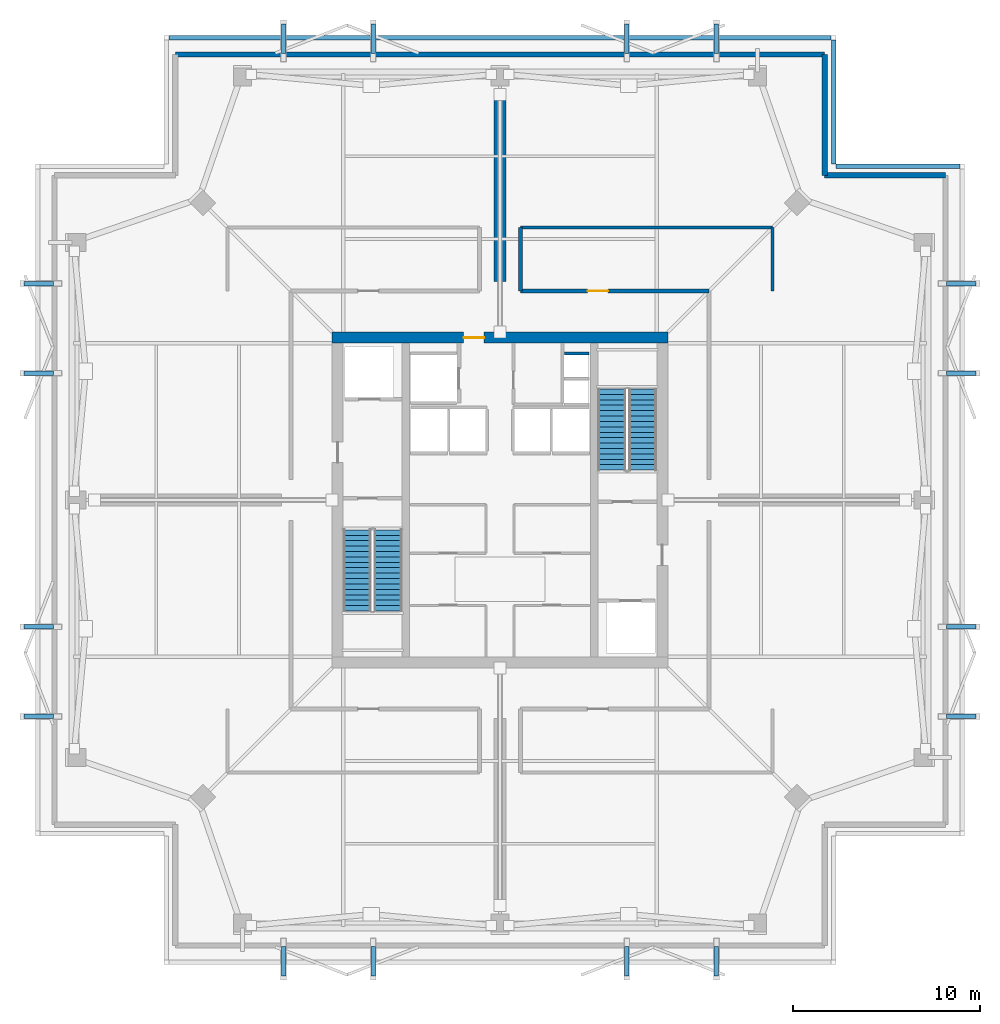
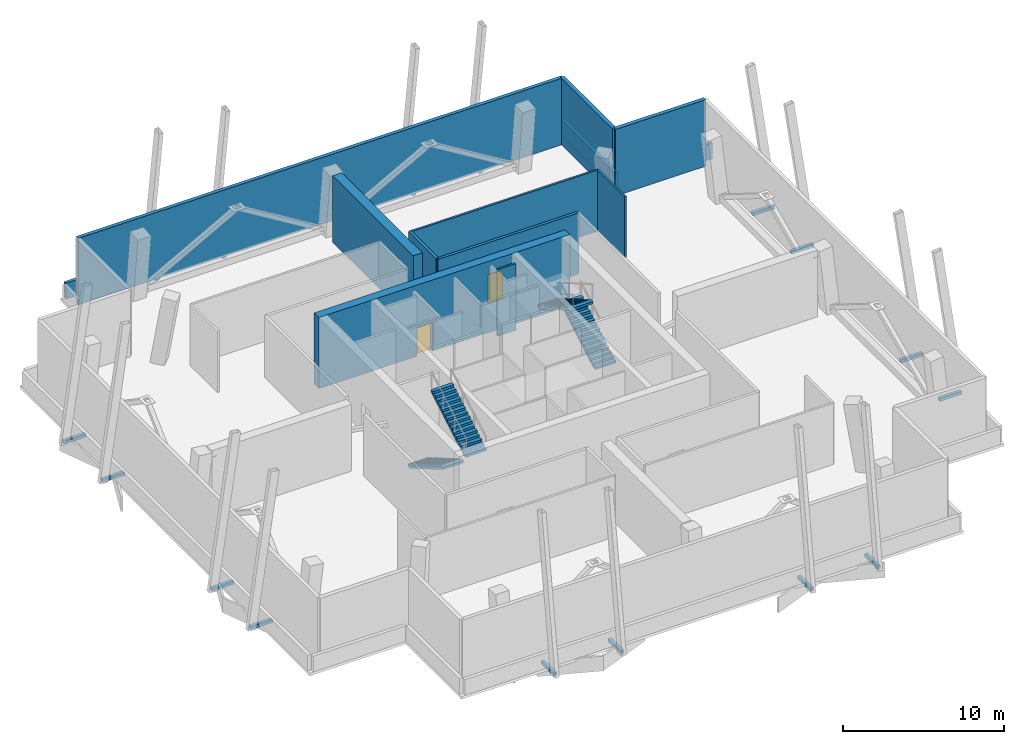
# One storey, part 5 of 6: 16 discrete accessories, 13 walls, 4 stair flights, 2 doors, 2 openings, 2 elements without a shape of their own.
"""IFC4 building model written with IfcOpenShell, lengths in metres."""

from ifc_helpers import new_model, si_unit, direction, frame, frame_2d, origin, origin_2d, place, context, subcontext, project, spatial, polyline, rectangle, outline, extrude, material, layer, layer_set, type_object, element, fill, aggregate, save


model = new_model("IFC4")

# Units and contexts
model_context = context("Model", 3, precision=1e-05, world=origin(), true_north=direction((0.0, 1.0)))
body_context = subcontext(model_context, "Body", "Model", "MODEL_VIEW")
ifc_project = project(units=[si_unit("LENGTHUNIT", "METRE"), si_unit("AREAUNIT", "SQUARE_METRE"), si_unit("VOLUMEUNIT", "CUBIC_METRE"), si_unit("PLANEANGLEUNIT", "RADIAN"), si_unit("MASSUNIT", "GRAM", prefix="KILO")], contexts=[model_context])

# Site, building, storey
site_placement = place(None, origin())
site = spatial("IfcSite", under=ifc_project, at=site_placement, CompositionType="ELEMENT")
building_placement = place(site_placement, origin())
building = spatial("IfcBuilding", under=site, at=building_placement, Name="Belovzor Exchange Tower", CompositionType="ELEMENT")
storey_placement = place(building_placement, frame((0.0, 0.0, 284.10009765625)))
storey = spatial("IfcBuildingStorey", under=building, at=storey_placement, Name="L71", CompositionType="ELEMENT", Elevation=284.10009765625)

# Walls
ifc_material_1 = material(Name="Fire-Rated Gypsum Block and Mineral Wool", Category="gypsum")
ifc_layer_1 = layer(ifc_material_1, 0.14990234375)
ifc_layer_set_1 = layer_set([ifc_layer_1], Name="Fire-Rated Gypsum Block and Mineral Wool")
wall_type_1 = type_object("IfcWallType", Name="Fire-Rated Gypsum Block Corridor Wall 150", PredefinedType="PARTITIONING", material=ifc_layer_set_1)
wall_1_placement = place(storey_placement, frame((29.89990234375, 43.39990234375, 0.0), z_axis=(0.0, 0.0, 1.0), x_axis=(1.0, 0.0, 0.0)))
element("IfcWall", 1, at=wall_1_placement, inside=storey, type_object=wall_type_1, Name="W-P150 Partition Wall W-L71-Q4N", PredefinedType="PARTITIONING", context=body_context, shape_type="SweptSolid", body=[
    extrude(rectangle(XDim=13.5, YDim=0.14990234375, at=frame_2d((6.75, 0.0))), origin(), (0.0, 0.0, 1.0), 4.635009765625),
])
wall_2_placement = place(storey_placement, frame((43.39990234375, 40.0, 0.0), z_axis=(0.0, 0.0, 1.0), x_axis=(0.0, 1.0, 0.0)))
element("IfcWall", 2, at=wall_2_placement, inside=storey, type_object=wall_type_1, Name="W-P150 Partition Wall W-L71-Q4E", PredefinedType="PARTITIONING", context=body_context, shape_type="SweptSolid", body=[
    extrude(rectangle(XDim=3.39990234375, YDim=0.14990234375, at=frame_2d((1.699951171875, 0.0))), origin(), (0.0, 0.0, 1.0), 4.635009765625),
])
ifc_material_2 = material(Name="Precast concrete C40/50", Category="concrete")
ifc_layer_2 = layer(ifc_material_2, 0.280029296875)
ifc_layer_set_2 = layer_set([ifc_layer_2], Name="Precast concrete C40/50")
wall_type_2 = type_object("IfcWallType", Name="Precast Concrete Notched Corner Frame Wall 280", PredefinedType="SOLIDWALL", material=ifc_layer_set_2)
for number, where, z_axis, x_axis, name in (
    (3, (46.199951171875, 52.669921875, 0.0), (0.0, 0.0, 1.0), (0.0, -1.0, 0.0), "W-CRN280 Precast Concrete Notched Corner Frame Wall 280 L71"),
    (4, (46.199951171875, 46.199951171875, 0.0), (0.0, 0.0, 1.0), (1.0, 0.0, 0.0), "W-CRN280 Precast Concrete Notched Corner Frame Wall 280 L71"),
):
    element("IfcWall", number, at=place(storey_placement, frame(where, z_axis=z_axis, x_axis=x_axis)), inside=storey, type_object=wall_type_2, Name=name, PredefinedType="SOLIDWALL", context=body_context, shape_type="SweptSolid", body=[
        extrude(rectangle(XDim=6.469970703125, YDim=0.280029296875, at=frame_2d((3.23486328125, 0.0))), origin(), (0.0, 0.0, 1.0), 5.0498046875),
    ])
ifc_material_3 = material(Name="Precast concrete C40/50", Category="concrete")
ifc_layer_3 = layer(ifc_material_3, 0.260009765625)
ifc_layer_set_3 = layer_set([ifc_layer_3], Name="Precast concrete C40/50")
wall_type_3 = type_object("IfcWallType", Name="Precast Concrete Perimeter Loggia Frame Wall 260", PredefinedType="SOLIDWALL", material=ifc_layer_set_3)
wall_3_placement = place(storey_placement, frame((11.39990234375, 52.669921875, 0.0), z_axis=(0.0, 0.0, 1.0), x_axis=(1.0, 0.0, 0.0)))
element("IfcWall", 5, at=wall_3_placement, inside=storey, type_object=wall_type_3, Name="W-EXT260 Precast Concrete Perimeter Loggia Frame Wall 260 L71", PredefinedType="SOLIDWALL", context=body_context, shape_type="SweptSolid", body=[
    extrude(rectangle(XDim=34.800048828125, YDim=0.260009765625, at=frame_2d((17.39990234375, 0.0))), origin(), (0.0, 0.0, 1.0), 5.0498046875),
])
ifc_material_4 = material(Name="Precast concrete C40/50", Category="concrete")
ifc_layer_4 = layer(ifc_material_4, 0.239990234375)
ifc_layer_set_4 = layer_set([ifc_layer_4], Name="Precast concrete C40/50")
wall_type_4 = type_object("IfcWallType", Name="Precast Stone Setback Roof Parapet Wall 240", PredefinedType="PARAPET", material=ifc_layer_set_4)
for number, where, z_axis, x_axis, name in (
    (6, (53.445068359375, 46.679931640625, 0.0), (0.0, 0.0, 1.0), (-1.0, 0.0, 0.0), "W-PAR240 Precast Stone Setback Roof Parapet Wall 240 L71"),
    (7, (46.679931640625, 46.81494140625, 0.0), (0.0, 0.0, 1.0), (0.0, 1.0, 0.0), "W-PAR240 Precast Stone Setback Roof Parapet Wall 240 L71"),
):
    element("IfcWall", number, at=place(storey_placement, frame(where, z_axis=z_axis, x_axis=x_axis)), inside=storey, type_object=wall_type_4, Name=name, PredefinedType="PARAPET", context=body_context, shape_type="SweptSolid", body=[
        extrude(rectangle(XDim=6.630126953125, YDim=0.239990234375, at=frame_2d((3.31494140625, 0.0))), origin(), (0.0, 0.0, 1.0), 1.199951171875),
    ])
wall_4_placement = place(storey_placement, frame((46.544921875, 53.580078125, 0.0), z_axis=(0.0, 0.0, 1.0), x_axis=(-1.0, 0.0, 0.0)))
element("IfcWall", 8, at=wall_4_placement, inside=storey, type_object=wall_type_4, Name="W-PAR240 Precast Stone Setback Roof Parapet Wall 240 L71", PredefinedType="PARAPET", context=body_context, shape_type="SweptSolid", body=[
    extrude(rectangle(XDim=35.489990234375, YDim=0.239990234375, at=frame_2d((17.7451171875, 0.0))), origin(), (0.0, 0.0, 1.0), 1.199951171875),
])

# Wall, opening, door
ifc_material_5 = material(Name="Concrete C40/50", Category="concrete")
ifc_layer_5 = layer(ifc_material_5, 0.199951171875)
ifc_layer_set_5 = layer_set([ifc_layer_5], Name="Concrete C40/50")
wall_type_5 = type_object("IfcWallType", Name="Reinforced Concrete Compartment Wall 200", PredefinedType="PARTITIONING", material=ifc_layer_set_5)
wall_5_placement = place(storey_placement, frame((29.89990234375, 40.0, 0.0), z_axis=(0.0, 0.0, 1.0), x_axis=(1.0, 0.0, 0.0)))
wall_5 = element("IfcWall", 9, at=wall_5_placement, inside=storey, type_object=wall_type_5, Name="W-C200 Partition Wall W-L71-PCN2", PredefinedType="PARTITIONING", context=body_context, shape_type="SweptSolid", body=[
    extrude(rectangle(XDim=10.10009765625, YDim=0.199951171875, at=frame_2d((5.050048828125, 0.0))), origin(), (0.0, 0.0, 1.0), 4.635009765625),
])
opening_1_placement = place(wall_5_placement, frame((3.60009765625, 0.0, 0.0)))
opening_1 = element("IfcOpeningElement", 10, at=opening_1_placement, cuts=wall_5, Name="Opening D-FD90-110", PredefinedType="OPENING", context=body_context, shape_type="SweptSolid", body=[
    extrude(rectangle(XDim=1.10009765625, YDim=2.14990234375, at=frame_2d((0.550048828125, 1.074951171875))), frame((0.0, 0.10986328125, 0.0), z_axis=(0.0, -1.0, 0.0), x_axis=(1.0, 0.0, 0.0)), (0.0, 0.0, 1.0), 0.219970703125),
])
ifc_material_6 = material(Name="Fire-Rated Galvanised Steel Leaf", Category="steel")
door_type = type_object("IfcDoorType", Name="Protected Escape Vestibule Fire Door 1100x2150", OperationType="NOTDEFINED", PredefinedType="DOOR", material=ifc_material_6)
door_1_placement = place(opening_1_placement, origin())
door_1 = element("IfcDoor", 11, at=door_1_placement, inside=storey, type_object=door_type, Name="D-FD90-110 Protected Escape Vestibule Fire Door 1100x2150", OperationType="SINGLE_SWING_RIGHT", OverallHeight=2.14990234375, OverallWidth=1.10009765625, PredefinedType="DOOR", context=body_context, shape_type="SweptSolid", body=[
    extrude(rectangle(XDim=1.10009765625, YDim=2.14990234375, at=frame_2d((0.550048828125, 1.074951171875))), frame((0.0, 0.02490234375, 0.0), z_axis=(0.0, -1.0, 0.0), x_axis=(1.0, 0.0, 0.0)), (0.0, 0.0, 1.0), 0.050048828125),
])
fill(opening_1, door_1)

# Walls
wall_6_placement = place(storey_placement, frame((29.89990234375, 40.0, 0.0), z_axis=(0.0, 0.0, 1.0), x_axis=(0.0, 1.0, 0.0)))
element("IfcWall", 12, at=wall_6_placement, inside=storey, type_object=wall_type_5, Name="W-C200 Partition Wall W-L71-Q4W", PredefinedType="PARTITIONING", context=body_context, shape_type="SweptSolid", body=[
    extrude(rectangle(XDim=3.39990234375, YDim=0.199951171875, at=frame_2d((1.699951171875, 0.0))), origin(), (0.0, 0.0, 1.0), 4.6748046875),
])
ifc_material_7 = material(Name="Concrete C50/60", Category="concrete")
ifc_layer_6 = layer(ifc_material_7, 0.14990234375)
ifc_layer_set_6 = layer_set([ifc_layer_6], Name="Concrete C50/60")
wall_type_6 = type_object("IfcWallType", Name="Reinforced Concrete Core Riser Shear Wall 150", PredefinedType="SHEAR", material=ifc_layer_set_6)
wall_7_placement = place(storey_placement, frame((32.25, 36.64990234375, 0.0), z_axis=(0.0, 0.0, 1.0), x_axis=(1.0, 0.0, 0.0)))
element("IfcWall", 13, at=wall_7_placement, inside=storey, type_object=wall_type_6, Name="W-C150S Core Shaft Wall W-RSR-L71-N", PredefinedType="SHEAR", context=body_context, shape_type="SweptSolid", body=[
    extrude(rectangle(XDim=1.330078125, YDim=0.14990234375, at=frame_2d((0.6650390625, 0.0))), origin(), (0.0, 0.0, 1.0), 5.0498046875),
])

# Wall, opening, door
ifc_material_8 = material(Name="Concrete C50/60", Category="concrete")
ifc_layer_7 = layer(ifc_material_8, 0.60009765625)
ifc_layer_set_7 = layer_set([ifc_layer_7], Name="Concrete C50/60")
wall_type_7 = type_object("IfcWallType", Name="Reinforced Concrete Core Shear Wall 600", PredefinedType="SHEAR", material=ifc_layer_set_7)
wall_8_placement = place(storey_placement, frame((19.800048828125, 37.5, 0.0), z_axis=(0.0, 0.0, 1.0), x_axis=(1.0, 0.0, 0.0)))
wall_8 = element("IfcWall", 14, at=wall_8_placement, inside=storey, type_object=wall_type_7, Name="CW-S060 Core Shear Wall L71 N", PredefinedType="SHEAR", context=body_context, shape_type="SweptSolid", body=[
    extrude(rectangle(XDim=18.0, YDim=0.60009765625, at=frame_2d((9.0, 0.0))), origin(), (0.0, 0.0, 1.0), 5.39990234375),
])
opening_2_placement = place(wall_8_placement, frame((7.050048828125, 0.0, 0.0)))
opening_2 = element("IfcOpeningElement", 15, at=opening_2_placement, cuts=wall_8, Name="Opening D-FD90-110", PredefinedType="OPENING", context=body_context, shape_type="SweptSolid", body=[
    extrude(rectangle(XDim=1.10009765625, YDim=2.14990234375, at=frame_2d((0.550048828125, 1.074951171875))), frame((0.0, 0.31005859375, 0.0), z_axis=(0.0, -1.0, 0.0), x_axis=(1.0, 0.0, 0.0)), (0.0, 0.0, 1.0), 0.6201171875),
])
door_2_placement = place(opening_2_placement, origin())
door_2 = element("IfcDoor", 16, at=door_2_placement, inside=storey, type_object=door_type, Name="D-FD90-110 Protected Escape Vestibule Fire Door 1100x2150", OperationType="SINGLE_SWING_LEFT", OverallHeight=2.14990234375, OverallWidth=1.10009765625, PredefinedType="DOOR", context=body_context, shape_type="SweptSolid", body=[
    extrude(rectangle(XDim=1.10009765625, YDim=2.14990234375, at=frame_2d((0.550048828125, 1.074951171875))), frame((0.0, 0.02490234375, 0.0), z_axis=(0.0, -1.0, 0.0), x_axis=(1.0, 0.0, 0.0)), (0.0, 0.0, 1.0), 0.050048828125),
])
fill(opening_2, door_2)

# Wall
ifc_material_9 = material(Name="Concrete C50/60", Category="concrete")
ifc_layer_8 = layer(ifc_material_9, 0.64990234375)
ifc_layer_set_8 = layer_set([ifc_layer_8], Name="Concrete C50/60")
wall_type_8 = type_object("IfcWallType", Name="Reinforced Concrete Outrigger Shear Wall 650", PredefinedType="SHEAR", material=ifc_layer_set_8)
wall_9_placement = place(storey_placement, frame((28.800048828125, 40.5, 0.0), z_axis=(0.0, 0.0, 1.0), x_axis=(0.0, 1.0, 0.0)))
element("IfcWall", 17, at=wall_9_placement, inside=storey, type_object=wall_type_8, Name="OW-065 Outrigger Shear Wall L71 N", PredefinedType="SHEAR", context=body_context, shape_type="SweptSolid", body=[
    extrude(rectangle(XDim=10.02490234375, YDim=0.64990234375, at=frame_2d((5.012451171875, 0.0))), origin(), (0.0, 0.0, 1.0), 5.0498046875),
])

# Stair, stair flights
ifc_material_10 = material(Name="Concrete C40/50", Category="concrete")
stair_type = type_object("IfcStairType", Name="Reinforced Concrete Dogleg Escape Stair 1350", PredefinedType="HALF_TURN_STAIR", material=ifc_material_10)
stair_1_placement = place(storey_placement, origin())
stair_1 = element("IfcStair", 18, at=stair_1_placement, inside=storey, type_object=stair_type, Name="L71 ST-1", PredefinedType="HALF_TURN_STAIR")
ifc_material_11 = material(Name="Concrete C40/50", Category="concrete")
stair_flight_type = type_object("IfcStairFlightType", Name="Reinforced Concrete Stair Flight 1350", PredefinedType="STRAIGHT", material=ifc_material_11)
stair_flight_1_placement = place(storey_placement, frame((21.14990234375, 27.199951171875, 0.0), z_axis=(0.0, 0.0, 1.0), x_axis=(0.0, -1.0, 0.0)))
stair_flight_1 = element("IfcStairFlight", 19, at=stair_flight_1_placement, type_object=stair_flight_type, Name="ST-1 flight 1", NumberOfRisers=16, NumberOfTreads=15, PredefinedType="STRAIGHT", RiserHeight=0.16875, TreadLength=0.29, context=body_context, shape_type="SweptSolid", body=[
    extrude(outline(polyline([(0.0, 0.0), (0.0, 0.168701171875), (0.2900390625, 0.168701171875), (0.2900390625, 0.33740234375), (0.580078125, 0.33740234375), (0.580078125, 0.50634765625), (0.8701171875, 0.50634765625), (0.8701171875, 0.675048828125), (1.159912109375, 0.675048828125), (1.159912109375, 0.84375), (1.449951171875, 0.84375), (1.449951171875, 1.012451171875), (1.739990234375, 1.012451171875), (1.739990234375, 1.18115234375), (2.030029296875, 1.18115234375), (2.030029296875, 1.35009765625), (2.320068359375, 1.35009765625), (2.320068359375, 1.518798828125), (2.610107421875, 1.518798828125), (2.610107421875, 1.6875), (2.89990234375, 1.6875), (2.89990234375, 1.856201171875), (3.18994140625, 1.856201171875), (3.18994140625, 2.02490234375), (3.47998046875, 2.02490234375), (3.47998046875, 2.19384765625), (3.77001953125, 2.19384765625), (3.77001953125, 2.362548828125), (4.06005859375, 2.362548828125), (4.06005859375, 2.53125), (4.35009765625, 2.53125), (4.35009765625, 2.699951171875), (4.35009765625, 2.35791015625), (0.298095703125, 0.0), (0.0, 0.0)])), frame((0.0, 0.75, 0.0), z_axis=(0.0, -1.0, 0.0), x_axis=(1.0, 0.0, 0.0)), (0.0, 0.0, 1.0), 1.5),
])
stair_flight_2_placement = place(storey_placement, frame((22.800048828125, 22.85009765625, 2.699951171875), z_axis=(0.0, 0.0, 1.0), x_axis=(0.0, 1.0, 0.0)))
stair_flight_2 = element("IfcStairFlight", 20, at=stair_flight_2_placement, type_object=stair_flight_type, Name="ST-1 flight 2", NumberOfRisers=16, NumberOfTreads=15, PredefinedType="STRAIGHT", RiserHeight=0.16875, TreadLength=0.29, context=body_context, shape_type="SweptSolid", body=[
    extrude(outline(polyline([(0.0, 0.0), (0.0, 0.168701171875), (0.2900390625, 0.168701171875), (0.2900390625, 0.33740234375), (0.580078125, 0.33740234375), (0.580078125, 0.50634765625), (0.8701171875, 0.50634765625), (0.8701171875, 0.675048828125), (1.159912109375, 0.675048828125), (1.159912109375, 0.84375), (1.449951171875, 0.84375), (1.449951171875, 1.012451171875), (1.739990234375, 1.012451171875), (1.739990234375, 1.18115234375), (2.030029296875, 1.18115234375), (2.030029296875, 1.35009765625), (2.320068359375, 1.35009765625), (2.320068359375, 1.518798828125), (2.610107421875, 1.518798828125), (2.610107421875, 1.6875), (2.89990234375, 1.6875), (2.89990234375, 1.856201171875), (3.18994140625, 1.856201171875), (3.18994140625, 2.02490234375), (3.47998046875, 2.02490234375), (3.47998046875, 2.19384765625), (3.77001953125, 2.19384765625), (3.77001953125, 2.362548828125), (4.06005859375, 2.362548828125), (4.06005859375, 2.53125), (4.35009765625, 2.53125), (4.35009765625, 2.699951171875), (4.35009765625, 2.35791015625), (0.298095703125, 0.0), (0.0, 0.0)])), frame((0.0, 0.75, 0.0), z_axis=(0.0, -1.0, 0.0), x_axis=(1.0, 0.0, 0.0)), (0.0, 0.0, 1.0), 1.5),
])
aggregate(stair_1, [stair_flight_1, stair_flight_2])

stair_2_placement = place(storey_placement, origin())
stair_2 = element("IfcStair", 21, at=stair_2_placement, inside=storey, type_object=stair_type, Name="L71 ST-2", PredefinedType="HALF_TURN_STAIR")
stair_flight_3_placement = place(storey_placement, frame((36.449951171875, 30.39990234375, 0.0), z_axis=(0.0, 0.0, 1.0), x_axis=(0.0, 1.0, 0.0)))
stair_flight_3 = element("IfcStairFlight", 22, at=stair_flight_3_placement, type_object=stair_flight_type, Name="ST-2 flight 1", NumberOfRisers=16, NumberOfTreads=15, PredefinedType="STRAIGHT", RiserHeight=0.16875, TreadLength=0.29, context=body_context, shape_type="SweptSolid", body=[
    extrude(outline(polyline([(0.0, 0.0), (0.0, 0.168701171875), (0.2900390625, 0.168701171875), (0.2900390625, 0.33740234375), (0.580078125, 0.33740234375), (0.580078125, 0.50634765625), (0.8701171875, 0.50634765625), (0.8701171875, 0.675048828125), (1.159912109375, 0.675048828125), (1.159912109375, 0.84375), (1.449951171875, 0.84375), (1.449951171875, 1.012451171875), (1.739990234375, 1.012451171875), (1.739990234375, 1.18115234375), (2.030029296875, 1.18115234375), (2.030029296875, 1.35009765625), (2.320068359375, 1.35009765625), (2.320068359375, 1.518798828125), (2.610107421875, 1.518798828125), (2.610107421875, 1.6875), (2.89990234375, 1.6875), (2.89990234375, 1.856201171875), (3.18994140625, 1.856201171875), (3.18994140625, 2.02490234375), (3.47998046875, 2.02490234375), (3.47998046875, 2.19384765625), (3.77001953125, 2.19384765625), (3.77001953125, 2.362548828125), (4.06005859375, 2.362548828125), (4.06005859375, 2.53125), (4.35009765625, 2.53125), (4.35009765625, 2.699951171875), (4.35009765625, 2.35791015625), (0.298095703125, 0.0), (0.0, 0.0)])), frame((0.0, 0.75, 0.0), z_axis=(0.0, -1.0, 0.0), x_axis=(1.0, 0.0, 0.0)), (0.0, 0.0, 1.0), 1.5),
])
stair_flight_4_placement = place(storey_placement, frame((34.800048828125, 34.75, 2.699951171875), z_axis=(0.0, 0.0, 1.0), x_axis=(0.0, -1.0, 0.0)))
stair_flight_4 = element("IfcStairFlight", 23, at=stair_flight_4_placement, type_object=stair_flight_type, Name="ST-2 flight 2", NumberOfRisers=16, NumberOfTreads=15, PredefinedType="STRAIGHT", RiserHeight=0.16875, TreadLength=0.29, context=body_context, shape_type="SweptSolid", body=[
    extrude(outline(polyline([(0.0, 0.0), (0.0, 0.168701171875), (0.2900390625, 0.168701171875), (0.2900390625, 0.33740234375), (0.580078125, 0.33740234375), (0.580078125, 0.50634765625), (0.8701171875, 0.50634765625), (0.8701171875, 0.675048828125), (1.159912109375, 0.675048828125), (1.159912109375, 0.84375), (1.449951171875, 0.84375), (1.449951171875, 1.012451171875), (1.739990234375, 1.012451171875), (1.739990234375, 1.18115234375), (2.030029296875, 1.18115234375), (2.030029296875, 1.35009765625), (2.320068359375, 1.35009765625), (2.320068359375, 1.518798828125), (2.610107421875, 1.518798828125), (2.610107421875, 1.6875), (2.89990234375, 1.6875), (2.89990234375, 1.856201171875), (3.18994140625, 1.856201171875), (3.18994140625, 2.02490234375), (3.47998046875, 2.02490234375), (3.47998046875, 2.19384765625), (3.77001953125, 2.19384765625), (3.77001953125, 2.362548828125), (4.06005859375, 2.362548828125), (4.06005859375, 2.53125), (4.35009765625, 2.53125), (4.35009765625, 2.699951171875), (4.35009765625, 2.35791015625), (0.298095703125, 0.0), (0.0, 0.0)])), frame((0.0, 0.75, 0.0), z_axis=(0.0, -1.0, 0.0), x_axis=(1.0, 0.0, 0.0)), (0.0, 0.0, 1.0), 1.5),
])
aggregate(stair_2, [stair_flight_3, stair_flight_4])

# Discrete accessories
ifc_material_12 = material(Name="Stainless Steel Grade 316", Category="steel")
ifc_layer_9 = layer(ifc_material_12, 0.179931640625)
ifc_layer_set_9 = layer_set([ifc_layer_9], Name="Stainless Steel Grade 316")
discrete_accessory_type = type_object("IfcDiscreteAccessoryType", Name="Stainless Steel Facade Outrigger Fixing Bracket", PredefinedType="BRACKET", material=ifc_layer_set_9)
for number, where, z_axis, x_axis, name in (
    (24, (17.199951171875, 4.087890625, -0.30029296875), (0.0, 0.0, 1.0), (0.0, 1.0, 0.0), "BRK-FIN1 Sweeping Fin Outrigger Bracket L71 S1"),
    (25, (17.199951171875, 53.512939453125, -0.30029296875), (0.0, 0.0, 1.0), (0.0, 1.0, 0.0), "BRK-FIN1 Sweeping Fin Outrigger Bracket L71 N1"),
    (26, (4.087890625, 17.199951171875, -0.30029296875), (0.0, 0.0, 1.0), (1.0, 0.0, 0.0), "BRK-FIN1 Sweeping Fin Outrigger Bracket L71 W1"),
    (27, (53.512939453125, 17.199951171875, -0.30029296875), (0.0, 0.0, 1.0), (1.0, 0.0, 0.0), "BRK-FIN1 Sweeping Fin Outrigger Bracket L71 E1"),
    (28, (22.0, 4.087890625, -0.30029296875), (0.0, 0.0, 1.0), (0.0, 1.0, 0.0), "BRK-FIN1 Sweeping Fin Outrigger Bracket L71 S2"),
    (29, (22.0, 53.512939453125, -0.30029296875), (0.0, 0.0, 1.0), (0.0, 1.0, 0.0), "BRK-FIN1 Sweeping Fin Outrigger Bracket L71 N2"),
    (30, (4.087890625, 22.0, -0.30029296875), (0.0, 0.0, 1.0), (1.0, 0.0, 0.0), "BRK-FIN1 Sweeping Fin Outrigger Bracket L71 W2"),
    (31, (53.512939453125, 22.0, -0.30029296875), (0.0, 0.0, 1.0), (1.0, 0.0, 0.0), "BRK-FIN1 Sweeping Fin Outrigger Bracket L71 E2"),
    (32, (35.60009765625, 4.087890625, -0.30029296875), (0.0, 0.0, 1.0), (0.0, 1.0, 0.0), "BRK-FIN1 Sweeping Fin Outrigger Bracket L71 S3"),
    (33, (35.60009765625, 53.512939453125, -0.30029296875), (0.0, 0.0, 1.0), (0.0, 1.0, 0.0), "BRK-FIN1 Sweeping Fin Outrigger Bracket L71 N3"),
    (34, (4.087890625, 35.60009765625, -0.30029296875), (0.0, 0.0, 1.0), (1.0, 0.0, 0.0), "BRK-FIN1 Sweeping Fin Outrigger Bracket L71 W3"),
    (35, (53.512939453125, 35.60009765625, -0.30029296875), (0.0, 0.0, 1.0), (1.0, 0.0, 0.0), "BRK-FIN1 Sweeping Fin Outrigger Bracket L71 E3"),
    (36, (40.39990234375, 4.087890625, -0.30029296875), (0.0, 0.0, 1.0), (0.0, 1.0, 0.0), "BRK-FIN1 Sweeping Fin Outrigger Bracket L71 S4"),
    (37, (40.39990234375, 53.512939453125, -0.30029296875), (0.0, 0.0, 1.0), (0.0, 1.0, 0.0), "BRK-FIN1 Sweeping Fin Outrigger Bracket L71 N4"),
    (38, (4.087890625, 40.39990234375, -0.30029296875), (0.0, 0.0, 1.0), (1.0, 0.0, 0.0), "BRK-FIN1 Sweeping Fin Outrigger Bracket L71 W4"),
    (39, (53.512939453125, 40.39990234375, -0.30029296875), (0.0, 0.0, 1.0), (1.0, 0.0, 0.0), "BRK-FIN1 Sweeping Fin Outrigger Bracket L71 E4"),
):
    element("IfcDiscreteAccessory", number, at=place(storey_placement, frame(where, z_axis=z_axis, x_axis=x_axis)), inside=storey, type_object=discrete_accessory_type, Name=name, PredefinedType="BRACKET", context=body_context, shape_type="SweptSolid", body=[
        extrude(rectangle(XDim=1.5849609375, YDim=0.239990234375, at=origin_2d()), origin(), (0.0, 0.0, 1.0), 0.239990234375),
    ])

save(model, "model.ifc")
